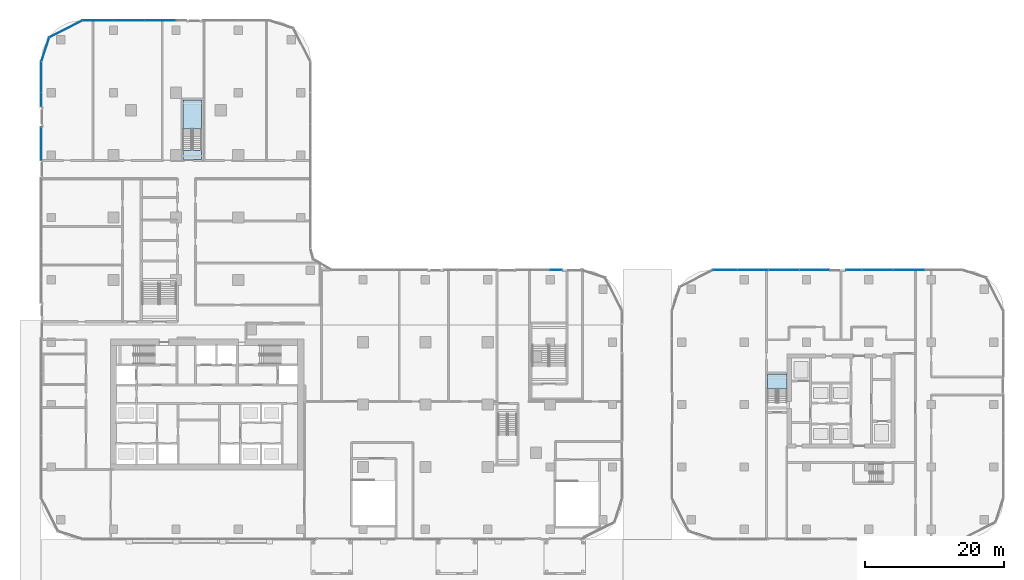
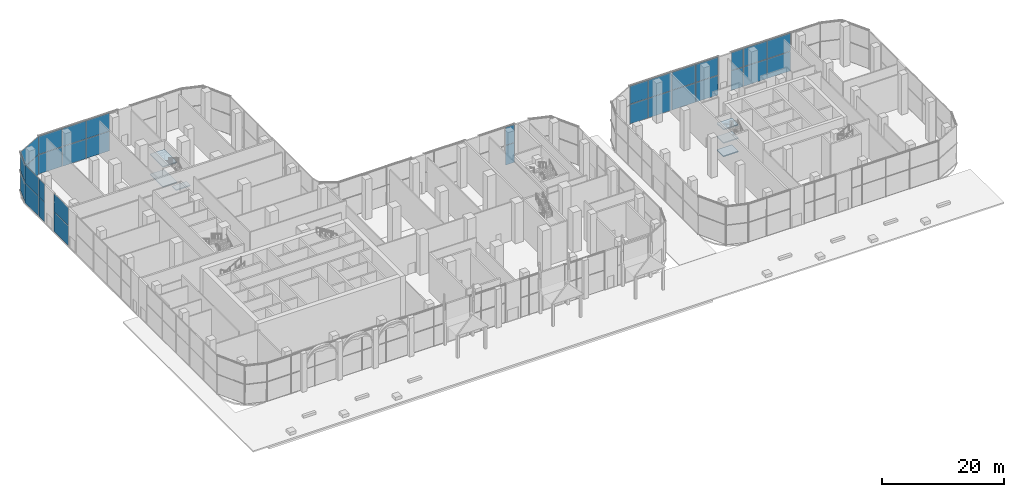
# One storey, part 26 of 54: 32 plates, 6 slabs, 9 elements without a shape of their own.
"""IFC4 building model written with IfcOpenShell, lengths in metres."""

from ifc_helpers import new_model, si_unit, direction, frame, origin, origin_2d, place, context, subcontext, project, spatial, polyline, rectangle, outline, extrude, material, layer, layer_set, type_object, element, aggregate, save


model = new_model("IFC4")

# Units and contexts
model_context = context("Model", 3, precision=1e-05, world=origin(), true_north=direction((0.0, 1.0)))
body_context = subcontext(model_context, "Body", "Model", "MODEL_VIEW")
ifc_project = project(units=[si_unit("LENGTHUNIT", "METRE"), si_unit("AREAUNIT", "SQUARE_METRE"), si_unit("VOLUMEUNIT", "CUBIC_METRE"), si_unit("PLANEANGLEUNIT", "RADIAN"), si_unit("MASSUNIT", "GRAM", prefix="KILO")], contexts=[model_context])

# Site, building, storey
site_placement = place(None, origin())
site = spatial("IfcSite", under=ifc_project, at=site_placement, CompositionType="ELEMENT")
building_placement = place(site_placement, origin())
building = spatial("IfcBuilding", under=site, at=building_placement, Name="Ogive Portal Towers", CompositionType="ELEMENT")
storey_placement = place(building_placement, origin())
storey = spatial("IfcBuildingStorey", under=building, at=storey_placement, Name="L00", CompositionType="ELEMENT", Elevation=0.0)

# Curtain wall, plates
ifc_material_1 = material(Name="Glass, clear low-iron insulated glazing", Category="glass")
curtain_wall_type = type_object("IfcCurtainWallType", Name="CW PODIUM SHOPFRONT", PredefinedType="NOTDEFINED", material=ifc_material_1)
curtain_wall_1_placement = place(storey_placement, origin())
curtain_wall_1 = element("IfcCurtainWall", 1, at=curtain_wall_1_placement, inside=storey, type_object=curtain_wall_type, Name="A:L00:f08:cw0", PredefinedType="NOTDEFINED")
ifc_layer_1 = layer(ifc_material_1, 0.028076171875)
ifc_layer_set_1 = layer_set([ifc_layer_1], Name="CW PANEL IGU 28")
plate_type = type_object("IfcPlateType", Name="CW PANEL IGU 28", PredefinedType="CURTAIN_PANEL", material=ifc_layer_set_1)
plate_1_placement = place(storey_placement, frame((95.368408203125, 49.919921875, 0.06005859375), z_axis=(0.0, 0.0, 1.0), x_axis=(-1.0, 0.0, 0.0)))
plate_1 = element("IfcPlate", 2, at=plate_1_placement, type_object=plate_type, Name="panel", PredefinedType="CURTAIN_PANEL", context=body_context, shape_type="SweptSolid", body=[
    extrude(rectangle(XDim=1.6767578125, YDim=0.028076171875, at=origin_2d()), origin(), (0.0, 0.0, 1.0), 3.909912109375),
])
plate_2_placement = place(storey_placement, frame((95.368408203125, 49.919921875, 4.02978515625), z_axis=(0.0, 0.0, 1.0), x_axis=(-1.0, 0.0, 0.0)))
plate_2 = element("IfcPlate", 3, at=plate_2_placement, type_object=plate_type, Name="panel", PredefinedType="CURTAIN_PANEL", context=body_context, shape_type="SweptSolid", body=[
    extrude(rectangle(XDim=1.6767578125, YDim=0.028076171875, at=origin_2d()), origin(), (0.0, 0.0, 1.0), 3.610107421875),
])
aggregate(curtain_wall_1, [plate_1, plate_2])

curtain_wall_2_placement = place(storey_placement, origin())
curtain_wall_2 = element("IfcCurtainWall", 4, at=curtain_wall_2_placement, inside=storey, type_object=curtain_wall_type, Name="A:L00:f14:cw1", PredefinedType="NOTDEFINED")
plate_3_placement = place(storey_placement, frame((38.25, 85.919921875, 0.06005859375), z_axis=(0.0, 0.0, 1.0), x_axis=(-1.0, 0.0, 0.0)))
plate_3 = element("IfcPlate", 5, at=plate_3_placement, type_object=plate_type, Name="panel", PredefinedType="CURTAIN_PANEL", context=body_context, shape_type="SweptSolid", body=[
    extrude(rectangle(XDim=4.43994140625, YDim=0.028076171875, at=origin_2d()), origin(), (0.0, 0.0, 1.0), 3.909912109375),
])
plate_4_placement = place(storey_placement, frame((38.25, 85.919921875, 4.02978515625), z_axis=(0.0, 0.0, 1.0), x_axis=(-1.0, 0.0, 0.0)))
plate_4 = element("IfcPlate", 6, at=plate_4_placement, type_object=plate_type, Name="panel", PredefinedType="CURTAIN_PANEL", context=body_context, shape_type="SweptSolid", body=[
    extrude(rectangle(XDim=4.43994140625, YDim=0.028076171875, at=origin_2d()), origin(), (0.0, 0.0, 1.0), 3.610107421875),
])
plate_5_placement = place(storey_placement, frame((33.75, 85.919921875, 0.06005859375), z_axis=(0.0, 0.0, 1.0), x_axis=(-1.0, 0.0, 0.0)))
plate_5 = element("IfcPlate", 7, at=plate_5_placement, type_object=plate_type, Name="panel", PredefinedType="CURTAIN_PANEL", context=body_context, shape_type="SweptSolid", body=[
    extrude(rectangle(XDim=4.43994140625, YDim=0.028076171875, at=origin_2d()), origin(), (0.0, 0.0, 1.0), 3.909912109375),
])
plate_6_placement = place(storey_placement, frame((33.75, 85.919921875, 4.02978515625), z_axis=(0.0, 0.0, 1.0), x_axis=(-1.0, 0.0, 0.0)))
plate_6 = element("IfcPlate", 8, at=plate_6_placement, type_object=plate_type, Name="panel", PredefinedType="CURTAIN_PANEL", context=body_context, shape_type="SweptSolid", body=[
    extrude(rectangle(XDim=4.43994140625, YDim=0.028076171875, at=origin_2d()), origin(), (0.0, 0.0, 1.0), 3.610107421875),
])
plate_7_placement = place(storey_placement, frame((29.259521484375, 85.919921875, 0.06005859375), z_axis=(0.0, 0.0, 1.0), x_axis=(-1.0, 0.0, 0.0)))
plate_7 = element("IfcPlate", 9, at=plate_7_placement, type_object=plate_type, Name="panel", PredefinedType="CURTAIN_PANEL", context=body_context, shape_type="SweptSolid", body=[
    extrude(rectangle(XDim=4.4208984375, YDim=0.028076171875, at=origin_2d()), origin(), (0.0, 0.0, 1.0), 3.909912109375),
])
plate_8_placement = place(storey_placement, frame((29.259521484375, 85.919921875, 4.02978515625), z_axis=(0.0, 0.0, 1.0), x_axis=(-1.0, 0.0, 0.0)))
plate_8 = element("IfcPlate", 10, at=plate_8_placement, type_object=plate_type, Name="panel", PredefinedType="CURTAIN_PANEL", context=body_context, shape_type="SweptSolid", body=[
    extrude(rectangle(XDim=4.4208984375, YDim=0.028076171875, at=origin_2d()), origin(), (0.0, 0.0, 1.0), 3.610107421875),
])
aggregate(curtain_wall_2, [plate_3, plate_4, plate_5, plate_6, plate_7, plate_8])

curtain_wall_3_placement = place(storey_placement, origin())
curtain_wall_3 = element("IfcCurtainWall", 11, at=curtain_wall_3_placement, inside=storey, type_object=curtain_wall_type, Name="A:L00:f17:cw0", PredefinedType="NOTDEFINED")
plate_9_placement = place(storey_placement, frame((21.080078125, 77.74365234375, 0.06005859375), z_axis=(0.0, 0.0, 1.0), x_axis=(0.0, -1.0, 0.0)))
plate_9 = element("IfcPlate", 12, at=plate_9_placement, type_object=plate_type, Name="panel", PredefinedType="CURTAIN_PANEL", context=body_context, shape_type="SweptSolid", body=[
    extrude(rectangle(XDim=4.42724609375, YDim=0.028076171875, at=origin_2d()), origin(), (0.0, 0.0, 1.0), 3.909912109375),
])
plate_10_placement = place(storey_placement, frame((21.080078125, 77.74365234375, 4.02978515625), z_axis=(0.0, 0.0, 1.0), x_axis=(0.0, -1.0, 0.0)))
plate_10 = element("IfcPlate", 13, at=plate_10_placement, type_object=plate_type, Name="panel", PredefinedType="CURTAIN_PANEL", context=body_context, shape_type="SweptSolid", body=[
    extrude(rectangle(XDim=4.42724609375, YDim=0.028076171875, at=origin_2d()), origin(), (0.0, 0.0, 1.0), 3.610107421875),
])
plate_11_placement = place(storey_placement, frame((21.080078125, 74.495361328125, 0.06005859375), z_axis=(0.0, 0.0, 1.0), x_axis=(0.0, -1.0, 0.0)))
plate_11 = element("IfcPlate", 14, at=plate_11_placement, type_object=plate_type, Name="panel", PredefinedType="CURTAIN_PANEL", context=body_context, shape_type="SweptSolid", body=[
    extrude(rectangle(XDim=1.949462890625, YDim=0.028076171875, at=origin_2d()), origin(), (0.0, 0.0, 1.0), 3.909912109375),
])
plate_12_placement = place(storey_placement, frame((21.080078125, 74.495361328125, 4.02978515625), z_axis=(0.0, 0.0, 1.0), x_axis=(0.0, -1.0, 0.0)))
plate_12 = element("IfcPlate", 15, at=plate_12_placement, type_object=plate_type, Name="panel", PredefinedType="CURTAIN_PANEL", context=body_context, shape_type="SweptSolid", body=[
    extrude(rectangle(XDim=1.949462890625, YDim=0.028076171875, at=origin_2d()), origin(), (0.0, 0.0, 1.0), 3.610107421875),
])
aggregate(curtain_wall_3, [plate_9, plate_10, plate_11, plate_12])

curtain_wall_4_placement = place(storey_placement, origin())
curtain_wall_4 = element("IfcCurtainWall", 16, at=curtain_wall_4_placement, inside=storey, type_object=curtain_wall_type, Name="A:L00:f17:cw1", PredefinedType="NOTDEFINED")
plate_13_placement = place(storey_placement, frame((21.080078125, 68.118408203125, 0.06005859375), z_axis=(0.0, 0.0, 1.0), x_axis=(0.0, -1.0, 0.0)))
plate_13 = element("IfcPlate", 17, at=plate_13_placement, type_object=plate_type, Name="panel", PredefinedType="CURTAIN_PANEL", context=body_context, shape_type="SweptSolid", body=[
    extrude(rectangle(XDim=4.6875, YDim=0.028076171875, at=origin_2d()), origin(), (0.0, 0.0, 1.0), 3.909912109375),
])
plate_14_placement = place(storey_placement, frame((21.080078125, 68.118408203125, 4.02978515625), z_axis=(0.0, 0.0, 1.0), x_axis=(0.0, -1.0, 0.0)))
plate_14 = element("IfcPlate", 18, at=plate_14_placement, type_object=plate_type, Name="panel", PredefinedType="CURTAIN_PANEL", context=body_context, shape_type="SweptSolid", body=[
    extrude(rectangle(XDim=4.6875, YDim=0.028076171875, at=origin_2d()), origin(), (0.0, 0.0, 1.0), 3.610107421875),
])
aggregate(curtain_wall_4, [plate_13, plate_14])

curtain_wall_5_placement = place(storey_placement, origin())
curtain_wall_5 = element("IfcCurtainWall", 19, at=curtain_wall_5_placement, inside=storey, type_object=curtain_wall_type, Name="A:L00:f15:cwa", PredefinedType="NOTDEFINED")
plate_15_placement = place(storey_placement, frame((24.615478515625, 84.6953125, 0.06005859375), z_axis=(0.0, 0.0, 1.0), x_axis=(-0.891006524188, -0.45399049974, 0.0)))
plate_15 = element("IfcPlate", 20, at=plate_15_placement, type_object=plate_type, Name="panel", PredefinedType="CURTAIN_PANEL", context=body_context, shape_type="SweptSolid", body=[
    extrude(rectangle(XDim=5.33544921875, YDim=0.028076171875, at=origin_2d()), origin(), (0.0, 0.0, 1.0), 3.909912109375),
])
plate_16_placement = place(storey_placement, frame((24.615478515625, 84.6953125, 4.02978515625), z_axis=(0.0, 0.0, 1.0), x_axis=(-0.891006524188, -0.45399049974, 0.0)))
plate_16 = element("IfcPlate", 21, at=plate_16_placement, type_object=plate_type, Name="panel", PredefinedType="CURTAIN_PANEL", context=body_context, shape_type="SweptSolid", body=[
    extrude(rectangle(XDim=5.33544921875, YDim=0.028076171875, at=origin_2d()), origin(), (0.0, 0.0, 1.0), 3.610107421875),
])
plate_17_placement = place(storey_placement, frame((21.645751953125, 81.72900390625, 0.06005859375), z_axis=(0.0, 0.0, 1.0), x_axis=(-0.309016994375, -0.951056516295, 0.0)))
plate_17 = element("IfcPlate", 22, at=plate_17_placement, type_object=plate_type, Name="panel", PredefinedType="CURTAIN_PANEL", context=body_context, shape_type="SweptSolid", body=[
    extrude(rectangle(XDim=3.602294921875, YDim=0.028076171875, at=origin_2d()), origin(), (0.0, 0.0, 1.0), 3.909912109375),
])
plate_18_placement = place(storey_placement, frame((21.645751953125, 81.72900390625, 4.02978515625), z_axis=(0.0, 0.0, 1.0), x_axis=(-0.309016994375, -0.951056516295, 0.0)))
plate_18 = element("IfcPlate", 23, at=plate_18_placement, type_object=plate_type, Name="panel", PredefinedType="CURTAIN_PANEL", context=body_context, shape_type="SweptSolid", body=[
    extrude(rectangle(XDim=3.602294921875, YDim=0.028076171875, at=origin_2d()), origin(), (0.0, 0.0, 1.0), 3.610107421875),
])
aggregate(curtain_wall_5, [plate_15, plate_16, plate_17, plate_18])

curtain_wall_6_placement = place(storey_placement, origin())
curtain_wall_6 = element("IfcCurtainWall", 24, at=curtain_wall_6_placement, inside=storey, type_object=curtain_wall_type, Name="B:L00:f08:cw0", PredefinedType="NOTDEFINED")
plate_19_placement = place(storey_placement, frame((146.25, 49.919921875, 0.06005859375), z_axis=(0.0, 0.0, 1.0), x_axis=(-1.0, 0.0, 0.0)))
plate_19 = element("IfcPlate", 25, at=plate_19_placement, type_object=plate_type, Name="panel", PredefinedType="CURTAIN_PANEL", context=body_context, shape_type="SweptSolid", body=[
    extrude(rectangle(XDim=4.43994140625, YDim=0.028076171875, at=origin_2d()), origin(), (0.0, 0.0, 1.0), 3.909912109375),
])
plate_20_placement = place(storey_placement, frame((146.25, 49.919921875, 4.02978515625), z_axis=(0.0, 0.0, 1.0), x_axis=(-1.0, 0.0, 0.0)))
plate_20 = element("IfcPlate", 26, at=plate_20_placement, type_object=plate_type, Name="panel", PredefinedType="CURTAIN_PANEL", context=body_context, shape_type="SweptSolid", body=[
    extrude(rectangle(XDim=4.43994140625, YDim=0.028076171875, at=origin_2d()), origin(), (0.0, 0.0, 1.0), 3.610107421875),
])
plate_21_placement = place(storey_placement, frame((141.75, 49.919921875, 0.06005859375), z_axis=(0.0, 0.0, 1.0), x_axis=(-1.0, 0.0, 0.0)))
plate_21 = element("IfcPlate", 27, at=plate_21_placement, type_object=plate_type, Name="panel", PredefinedType="CURTAIN_PANEL", context=body_context, shape_type="SweptSolid", body=[
    extrude(rectangle(XDim=4.43994140625, YDim=0.028076171875, at=origin_2d()), origin(), (0.0, 0.0, 1.0), 3.909912109375),
])
plate_22_placement = place(storey_placement, frame((141.75, 49.919921875, 4.02978515625), z_axis=(0.0, 0.0, 1.0), x_axis=(-1.0, 0.0, 0.0)))
plate_22 = element("IfcPlate", 28, at=plate_22_placement, type_object=plate_type, Name="panel", PredefinedType="CURTAIN_PANEL", context=body_context, shape_type="SweptSolid", body=[
    extrude(rectangle(XDim=4.43994140625, YDim=0.028076171875, at=origin_2d()), origin(), (0.0, 0.0, 1.0), 3.610107421875),
])
plate_23_placement = place(storey_placement, frame((138.35107421875, 49.919921875, 0.06005859375), z_axis=(0.0, 0.0, 1.0), x_axis=(-1.0, 0.0, 0.0)))
plate_23 = element("IfcPlate", 29, at=plate_23_placement, type_object=plate_type, Name="panel", PredefinedType="CURTAIN_PANEL", context=body_context, shape_type="SweptSolid", body=[
    extrude(rectangle(XDim=2.23779296875, YDim=0.028076171875, at=origin_2d()), origin(), (0.0, 0.0, 1.0), 3.909912109375),
])
plate_24_placement = place(storey_placement, frame((138.35107421875, 49.919921875, 4.02978515625), z_axis=(0.0, 0.0, 1.0), x_axis=(-1.0, 0.0, 0.0)))
plate_24 = element("IfcPlate", 30, at=plate_24_placement, type_object=plate_type, Name="panel", PredefinedType="CURTAIN_PANEL", context=body_context, shape_type="SweptSolid", body=[
    extrude(rectangle(XDim=2.23779296875, YDim=0.028076171875, at=origin_2d()), origin(), (0.0, 0.0, 1.0), 3.610107421875),
])
aggregate(curtain_wall_6, [plate_19, plate_20, plate_21, plate_22, plate_23, plate_24])

curtain_wall_7_placement = place(storey_placement, origin())
curtain_wall_7 = element("IfcCurtainWall", 31, at=curtain_wall_7_placement, inside=storey, type_object=curtain_wall_type, Name="B:L00:f08:cw1", PredefinedType="NOTDEFINED")
plate_25_placement = place(storey_placement, frame((132.652099609375, 49.919921875, 0.06005859375), z_axis=(0.0, 0.0, 1.0), x_axis=(-1.0, 0.0, 0.0)))
plate_25 = element("IfcPlate", 32, at=plate_25_placement, type_object=plate_type, Name="panel", PredefinedType="CURTAIN_PANEL", context=body_context, shape_type="SweptSolid", body=[
    extrude(rectangle(XDim=4.244384765625, YDim=0.028076171875, at=origin_2d()), origin(), (0.0, 0.0, 1.0), 3.909912109375),
])
plate_26_placement = place(storey_placement, frame((132.652099609375, 49.919921875, 4.02978515625), z_axis=(0.0, 0.0, 1.0), x_axis=(-1.0, 0.0, 0.0)))
plate_26 = element("IfcPlate", 33, at=plate_26_placement, type_object=plate_type, Name="panel", PredefinedType="CURTAIN_PANEL", context=body_context, shape_type="SweptSolid", body=[
    extrude(rectangle(XDim=4.244384765625, YDim=0.028076171875, at=origin_2d()), origin(), (0.0, 0.0, 1.0), 3.610107421875),
])
plate_27_placement = place(storey_placement, frame((128.25, 49.919921875, 0.06005859375), z_axis=(0.0, 0.0, 1.0), x_axis=(-1.0, 0.0, 0.0)))
plate_27 = element("IfcPlate", 34, at=plate_27_placement, type_object=plate_type, Name="panel", PredefinedType="CURTAIN_PANEL", context=body_context, shape_type="SweptSolid", body=[
    extrude(rectangle(XDim=4.43994140625, YDim=0.028076171875, at=origin_2d()), origin(), (0.0, 0.0, 1.0), 3.909912109375),
])
plate_28_placement = place(storey_placement, frame((128.25, 49.919921875, 4.02978515625), z_axis=(0.0, 0.0, 1.0), x_axis=(-1.0, 0.0, 0.0)))
plate_28 = element("IfcPlate", 35, at=plate_28_placement, type_object=plate_type, Name="panel", PredefinedType="CURTAIN_PANEL", context=body_context, shape_type="SweptSolid", body=[
    extrude(rectangle(XDim=4.43994140625, YDim=0.028076171875, at=origin_2d()), origin(), (0.0, 0.0, 1.0), 3.610107421875),
])
plate_29_placement = place(storey_placement, frame((123.75, 49.919921875, 0.06005859375), z_axis=(0.0, 0.0, 1.0), x_axis=(-1.0, 0.0, 0.0)))
plate_29 = element("IfcPlate", 36, at=plate_29_placement, type_object=plate_type, Name="panel", PredefinedType="CURTAIN_PANEL", context=body_context, shape_type="SweptSolid", body=[
    extrude(rectangle(XDim=4.43994140625, YDim=0.028076171875, at=origin_2d()), origin(), (0.0, 0.0, 1.0), 3.909912109375),
])
plate_30_placement = place(storey_placement, frame((123.75, 49.919921875, 4.02978515625), z_axis=(0.0, 0.0, 1.0), x_axis=(-1.0, 0.0, 0.0)))
plate_30 = element("IfcPlate", 37, at=plate_30_placement, type_object=plate_type, Name="panel", PredefinedType="CURTAIN_PANEL", context=body_context, shape_type="SweptSolid", body=[
    extrude(rectangle(XDim=4.43994140625, YDim=0.028076171875, at=origin_2d()), origin(), (0.0, 0.0, 1.0), 3.610107421875),
])
plate_31_placement = place(storey_placement, frame((119.759521484375, 49.919921875, 0.06005859375), z_axis=(0.0, 0.0, 1.0), x_axis=(-1.0, 0.0, 0.0)))
plate_31 = element("IfcPlate", 38, at=plate_31_placement, type_object=plate_type, Name="panel", PredefinedType="CURTAIN_PANEL", context=body_context, shape_type="SweptSolid", body=[
    extrude(rectangle(XDim=3.4208984375, YDim=0.028076171875, at=origin_2d()), origin(), (0.0, 0.0, 1.0), 3.909912109375),
])
plate_32_placement = place(storey_placement, frame((119.759521484375, 49.919921875, 4.02978515625), z_axis=(0.0, 0.0, 1.0), x_axis=(-1.0, 0.0, 0.0)))
plate_32 = element("IfcPlate", 39, at=plate_32_placement, type_object=plate_type, Name="panel", PredefinedType="CURTAIN_PANEL", context=body_context, shape_type="SweptSolid", body=[
    extrude(rectangle(XDim=3.4208984375, YDim=0.028076171875, at=origin_2d()), origin(), (0.0, 0.0, 1.0), 3.610107421875),
])
aggregate(curtain_wall_7, [plate_25, plate_26, plate_27, plate_28, plate_29, plate_30, plate_31, plate_32])

# Stair, slabs
ifc_material_2 = material(Name="Concrete C40/50", Category="concrete")
stair_type = type_object("IfcStairType", Name="INT-STAIR", PredefinedType="HALF_TURN_STAIR", material=ifc_material_2)
stair_1_placement = place(storey_placement, origin())
stair_1 = element("IfcStair", 40, at=stair_1_placement, inside=storey, type_object=stair_type, Name="L00 Exit Stair ST-A3", PredefinedType="HALF_TURN_STAIR")
ifc_layer_2 = layer(ifc_material_2, 0.199951171875)
ifc_layer_set_2 = layer_set([ifc_layer_2], Name="INT-LANDING")
slab_type = type_object("IfcSlabType", Name="INT-LANDING", PredefinedType="LANDING", material=ifc_layer_set_2)
slab_1_placement = place(storey_placement, frame((0.0, 0.0, 1.800048828125)))
slab_1 = element("IfcSlab", 41, at=slab_1_placement, type_object=slab_type, Name="ST-A3 landing 1", PredefinedType="LANDING", context=body_context, shape_type="SweptSolid", body=[
    extrude(outline(polyline([(44.199951171875, 70.280029296875), (44.199951171875, 74.449951171875), (41.5, 74.449951171875), (41.5, 70.280029296875), (44.199951171875, 70.280029296875)])), origin(), (0.0, 0.0, 1.0), 0.199951171875),
])
slab_2_placement = place(storey_placement, frame((0.0, 0.0, 3.800048828125)))
slab_2 = element("IfcSlab", 42, at=slab_2_placement, type_object=slab_type, Name="ST-A3 landing 2", PredefinedType="LANDING", context=body_context, shape_type="SweptSolid", body=[
    extrude(outline(polyline([(44.199951171875, 65.89990234375), (44.199951171875, 67.199951171875), (41.5, 67.199951171875), (41.5, 65.89990234375), (44.199951171875, 65.89990234375)])), origin(), (0.0, 0.0, 1.0), 0.199951171875),
])
slab_3_placement = place(storey_placement, frame((0.0, 0.0, 5.800048828125)))
slab_3 = element("IfcSlab", 43, at=slab_3_placement, type_object=slab_type, Name="ST-A3 landing 3", PredefinedType="LANDING", context=body_context, shape_type="SweptSolid", body=[
    extrude(outline(polyline([(44.199951171875, 70.280029296875), (44.199951171875, 74.449951171875), (41.5, 74.449951171875), (41.5, 70.280029296875), (44.199951171875, 70.280029296875)])), origin(), (0.0, 0.0, 1.0), 0.199951171875),
])
aggregate(stair_1, [slab_1, slab_2, slab_3])

stair_2_placement = place(storey_placement, origin())
stair_2 = element("IfcStair", 44, at=stair_2_placement, inside=storey, type_object=stair_type, Name="L00 Exit Stair ST-B1", PredefinedType="HALF_TURN_STAIR")
slab_4_placement = place(storey_placement, frame((0.0, 0.0, 1.13330078125)))
slab_4 = element("IfcSlab", 45, at=slab_4_placement, type_object=slab_type, Name="ST-B1 landing 1", PredefinedType="LANDING", context=body_context, shape_type="SweptSolid", body=[
    extrude(outline(polyline([(128.699951171875, 32.760009765625), (128.699951171875, 34.89990234375), (125.85009765625, 34.89990234375), (125.85009765625, 32.760009765625), (128.699951171875, 32.760009765625)])), origin(), (0.0, 0.0, 1.0), 0.199951171875),
])
slab_5_placement = place(storey_placement, frame((0.0, 0.0, 3.800048828125)))
slab_5 = element("IfcSlab", 46, at=slab_5_placement, type_object=slab_type, Name="ST-B1 landing 3", PredefinedType="LANDING", context=body_context, shape_type="SweptSolid", body=[
    extrude(outline(polyline([(128.699951171875, 32.760009765625), (128.699951171875, 34.89990234375), (125.85009765625, 34.89990234375), (125.85009765625, 32.760009765625), (128.699951171875, 32.760009765625)])), origin(), (0.0, 0.0, 1.0), 0.199951171875),
])
slab_6_placement = place(storey_placement, frame((0.0, 0.0, 6.466552734375)))
slab_6 = element("IfcSlab", 47, at=slab_6_placement, type_object=slab_type, Name="ST-B1 landing 5", PredefinedType="LANDING", context=body_context, shape_type="SweptSolid", body=[
    extrude(outline(polyline([(128.699951171875, 32.760009765625), (128.699951171875, 34.89990234375), (125.85009765625, 34.89990234375), (125.85009765625, 32.760009765625), (128.699951171875, 32.760009765625)])), origin(), (0.0, 0.0, 1.0), 0.2001953125),
])
aggregate(stair_2, [slab_4, slab_5, slab_6])

save(model, "model.ifc")
